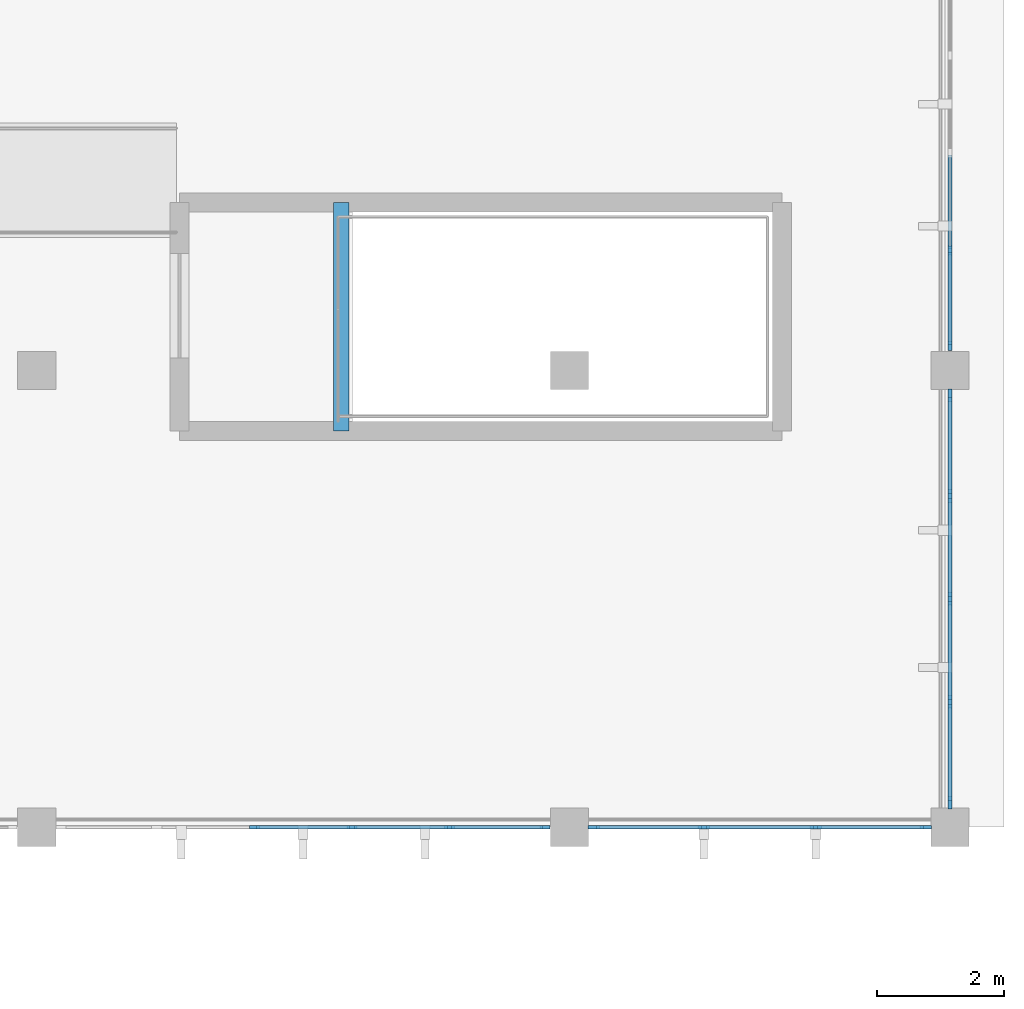
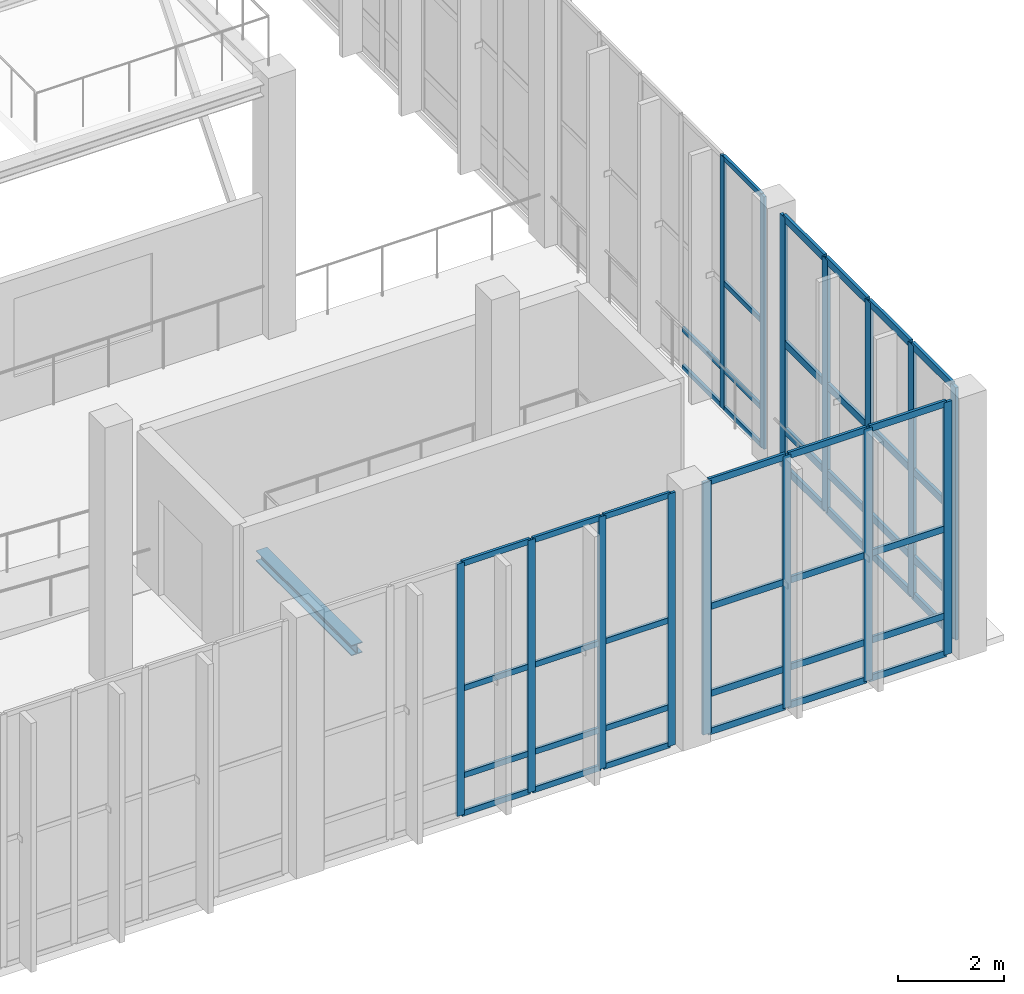
# One storey, part 49 of 105: 61 members, 1 beam, 4 elements without a shape of their own.
"""IFC4 building model written with IfcOpenShell, lengths in metres."""

from ifc_helpers import new_model, si_unit, direction, frame, origin, origin_2d, place, context, subcontext, project, spatial, rectangle, i_section, extrude, material, material_profile, profile_set, type_object, element, aggregate, save


model = new_model("IFC4")

# Units and contexts
model_context = context("Model", 3, precision=1e-05, world=origin(), true_north=direction((0.0, 1.0)))
body_context = subcontext(model_context, "Body", "Model", "MODEL_VIEW")
ifc_project = project(units=[si_unit("LENGTHUNIT", "METRE"), si_unit("AREAUNIT", "SQUARE_METRE"), si_unit("VOLUMEUNIT", "CUBIC_METRE"), si_unit("PLANEANGLEUNIT", "RADIAN"), si_unit("MASSUNIT", "GRAM", prefix="KILO")], contexts=[model_context])

# Site, building, storey
site_placement = place(None, origin())
site = spatial("IfcSite", under=ifc_project, at=site_placement, CompositionType="ELEMENT")
building_placement = place(site_placement, origin())
building = spatial("IfcBuilding", under=site, at=building_placement, Name="Tizgana Railside Sports Hall", CompositionType="ELEMENT")
storey_placement = place(building_placement, frame((0.0, 0.0, 6.0)))
storey = spatial("IfcBuildingStorey", under=building, at=storey_placement, Name="L01", CompositionType="ELEMENT", Elevation=6.0)

# Curtain wall, members
ifc_material_1 = material(Name="Anodised aluminium and glass", Category="aluminium")
curtain_wall_type_1 = type_object("IfcCurtainWallType", Name="Unitised Curtain Wall Clinic 1200", PredefinedType="NOTDEFINED", material=ifc_material_1)
curtain_wall_1_placement = place(storey_placement, origin())
curtain_wall_1 = element("IfcCurtainWall", 1, at=curtain_wall_1_placement, inside=storey, type_object=curtain_wall_type_1, Name="L01 Curtain Wall CW-0060", PredefinedType="NOTDEFINED")
ifc_material_2 = material(Name="Anodised aluminium", Category="aluminium")
ifc_material_profile_1 = material_profile(ifc_material_2, rectangle(XDim=0.06005859375, YDim=0.139892578125, at=origin_2d()), Name="Mullion 60x140")
ifc_profile_set_1 = profile_set([ifc_material_profile_1], Name="Anodised aluminium")
member_type_1 = type_object("IfcMemberType", Name="Mullion 60x140", PredefinedType="MULLION", material=ifc_profile_set_1)
member_1_placement = place(storey_placement, frame((172.199951171875, 80.784912109375, 0.0), z_axis=(0.0, 0.0, 1.0), x_axis=(-1.0, 0.0, 0.0)))
member_1 = element("IfcMember", 2, at=member_1_placement, type_object=member_type_1, Name="CW-05 mullion 1", PredefinedType="MULLION", context=body_context, shape_type="SweptSolid", body=[
    extrude(rectangle(XDim=0.06005859375, YDim=0.139892578125, at=origin_2d()), origin(), (0.0, 0.0, 1.0), 5.800048828125),
])
member_2_placement = place(storey_placement, frame((172.199951171875, 82.29296875, 0.0), z_axis=(0.0, 0.0, 1.0), x_axis=(-1.0, 0.0, 0.0)))
member_2 = element("IfcMember", 3, at=member_2_placement, type_object=member_type_1, Name="CW-05 mullion 2", PredefinedType="MULLION", context=body_context, shape_type="SweptSolid", body=[
    extrude(rectangle(XDim=0.06005859375, YDim=0.139892578125, at=origin_2d()), origin(), (0.0, 0.0, 1.0), 5.800048828125),
])

curtain_wall_type_2 = type_object("IfcCurtainWallType", Name="Unitised Curtain Wall Foyer 1300", PredefinedType="NOTDEFINED", material=ifc_material_1)
curtain_wall_2_placement = place(storey_placement, origin())
curtain_wall_2 = element("IfcCurtainWall", 4, at=curtain_wall_2_placement, inside=storey, type_object=curtain_wall_type_2, Name="L01 Curtain Wall CW-0073", PredefinedType="NOTDEFINED")
ifc_material_profile_2 = material_profile(ifc_material_2, rectangle(XDim=0.06005859375, YDim=0.159912109375, at=origin_2d()), Name="Mullion 60x160")
ifc_profile_set_2 = profile_set([ifc_material_profile_2], Name="Anodised aluminium")
member_type_2 = type_object("IfcMemberType", Name="Mullion 60x160", PredefinedType="MULLION", material=ifc_profile_set_2)
member_3_placement = place(storey_placement, frame((165.81494140625, 73.199951171875, 0.0), z_axis=(0.0, 0.0, 1.0), x_axis=(0.0, -1.0, 0.0)))
member_3 = element("IfcMember", 5, at=member_3_placement, type_object=member_type_2, Name="CW-02 mullion 1", PredefinedType="MULLION", context=body_context, shape_type="SweptSolid", body=[
    extrude(rectangle(XDim=0.06005859375, YDim=0.159912109375, at=origin_2d()), origin(), (0.0, 0.0, 1.0), 5.800048828125),
])
member_4_placement = place(storey_placement, frame((164.306884765625, 73.199951171875, 0.0), z_axis=(0.0, 0.0, 1.0), x_axis=(0.0, -1.0, 0.0)))
member_4 = element("IfcMember", 6, at=member_4_placement, type_object=member_type_2, Name="CW-02 mullion 2", PredefinedType="MULLION", context=body_context, shape_type="SweptSolid", body=[
    extrude(rectangle(XDim=0.06005859375, YDim=0.159912109375, at=origin_2d()), origin(), (0.0, 0.0, 1.0), 5.800048828125),
])
member_5_placement = place(storey_placement, frame((162.76904296875, 73.199951171875, 0.0), z_axis=(0.0, 0.0, 1.0), x_axis=(0.0, -1.0, 0.0)))
member_5 = element("IfcMember", 7, at=member_5_placement, type_object=member_type_2, Name="CW-02 mullion 3", PredefinedType="MULLION", context=body_context, shape_type="SweptSolid", body=[
    extrude(rectangle(XDim=0.06005859375, YDim=0.159912109375, at=origin_2d()), origin(), (0.0, 0.0, 1.0), 5.800048828125),
])
member_6_placement = place(storey_placement, frame((161.23095703125, 73.199951171875, 0.0), z_axis=(0.0, 0.0, 1.0), x_axis=(0.0, -1.0, 0.0)))
member_6 = element("IfcMember", 8, at=member_6_placement, type_object=member_type_2, Name="CW-02 mullion 4", PredefinedType="MULLION", context=body_context, shape_type="SweptSolid", body=[
    extrude(rectangle(XDim=0.06005859375, YDim=0.159912109375, at=origin_2d()), origin(), (0.0, 0.0, 1.0), 5.800048828125),
])

curtain_wall_type_3 = type_object("IfcCurtainWallType", Name="Unitised Curtain Wall Studio 1400", PredefinedType="NOTDEFINED", material=ifc_material_1)
curtain_wall_3_placement = place(storey_placement, origin())
curtain_wall_3 = element("IfcCurtainWall", 9, at=curtain_wall_3_placement, inside=storey, type_object=curtain_wall_type_3, Name="L01 Curtain Wall CW-0074", PredefinedType="NOTDEFINED")
ifc_material_profile_3 = material_profile(ifc_material_2, rectangle(XDim=0.06005859375, YDim=0.179931640625, at=origin_2d()), Name="Mullion 60x180")
ifc_profile_set_3 = profile_set([ifc_material_profile_3], Name="Anodised aluminium")
member_type_3 = type_object("IfcMemberType", Name="Mullion 60x180", PredefinedType="MULLION", material=ifc_profile_set_3)
member_7_placement = place(storey_placement, frame((171.81494140625, 73.199951171875, 0.0), z_axis=(0.0, 0.0, 1.0), x_axis=(0.0, -1.0, 0.0)))
member_7 = element("IfcMember", 10, at=member_7_placement, type_object=member_type_3, Name="CW-03 mullion 1", PredefinedType="MULLION", context=body_context, shape_type="SweptSolid", body=[
    extrude(rectangle(XDim=0.06005859375, YDim=0.179931640625, at=origin_2d()), origin(), (0.0, 0.0, 1.0), 5.800048828125),
])
member_8_placement = place(storey_placement, frame((170.081787109375, 73.199951171875, 0.0), z_axis=(0.0, 0.0, 1.0), x_axis=(0.0, -1.0, 0.0)))
member_8 = element("IfcMember", 11, at=member_8_placement, type_object=member_type_3, Name="CW-03 mullion 2", PredefinedType="MULLION", context=body_context, shape_type="SweptSolid", body=[
    extrude(rectangle(XDim=0.06005859375, YDim=0.179931640625, at=origin_2d()), origin(), (0.0, 0.0, 1.0), 5.800048828125),
])
member_9_placement = place(storey_placement, frame((168.318359375, 73.199951171875, 0.0), z_axis=(0.0, 0.0, 1.0), x_axis=(0.0, -1.0, 0.0)))
member_9 = element("IfcMember", 12, at=member_9_placement, type_object=member_type_3, Name="CW-03 mullion 3", PredefinedType="MULLION", context=body_context, shape_type="SweptSolid", body=[
    extrude(rectangle(XDim=0.06005859375, YDim=0.179931640625, at=origin_2d()), origin(), (0.0, 0.0, 1.0), 5.800048828125),
])
member_10_placement = place(storey_placement, frame((166.5849609375, 73.199951171875, 0.0), z_axis=(0.0, 0.0, 1.0), x_axis=(0.0, -1.0, 0.0)))
member_10 = element("IfcMember", 13, at=member_10_placement, type_object=member_type_3, Name="CW-03 mullion 4", PredefinedType="MULLION", context=body_context, shape_type="SweptSolid", body=[
    extrude(rectangle(XDim=0.06005859375, YDim=0.179931640625, at=origin_2d()), origin(), (0.0, 0.0, 1.0), 5.800048828125),
])

curtain_wall_4_placement = place(storey_placement, origin())
curtain_wall_4 = element("IfcCurtainWall", 14, at=curtain_wall_4_placement, inside=storey, type_object=curtain_wall_type_2, Name="L01 Curtain Wall CW-0057", PredefinedType="NOTDEFINED")
ifc_material_profile_4 = material_profile(ifc_material_2, rectangle(XDim=0.06494140625, YDim=0.199951171875, at=origin_2d()), Name="Mullion 65x200")
ifc_profile_set_4 = profile_set([ifc_material_profile_4], Name="Anodised aluminium")
member_type_4 = type_object("IfcMemberType", Name="Mullion 65x200", PredefinedType="MULLION", material=ifc_profile_set_4)
member_11_placement = place(storey_placement, frame((172.199951171875, 73.58740234375, 0.0), z_axis=(0.0, 0.0, 1.0), x_axis=(-1.0, 0.0, 0.0)))
member_11 = element("IfcMember", 15, at=member_11_placement, type_object=member_type_4, Name="CW-02 mullion 1", PredefinedType="MULLION", context=body_context, shape_type="SweptSolid", body=[
    extrude(rectangle(XDim=0.06494140625, YDim=0.199951171875, at=origin_2d()), origin(), (0.0, 0.0, 1.0), 5.800048828125),
])
member_12_placement = place(storey_placement, frame((172.199951171875, 75.177490234375, 0.0), z_axis=(0.0, 0.0, 1.0), x_axis=(-1.0, 0.0, 0.0)))
member_12 = element("IfcMember", 16, at=member_12_placement, type_object=member_type_4, Name="CW-02 mullion 2", PredefinedType="MULLION", context=body_context, shape_type="SweptSolid", body=[
    extrude(rectangle(XDim=0.06494140625, YDim=0.199951171875, at=origin_2d()), origin(), (0.0, 0.0, 1.0), 5.800048828125),
])
member_13_placement = place(storey_placement, frame((172.199951171875, 76.800048828125, 0.0), z_axis=(0.0, 0.0, 1.0), x_axis=(-1.0, 0.0, 0.0)))
member_13 = element("IfcMember", 17, at=member_13_placement, type_object=member_type_4, Name="CW-02 mullion 3", PredefinedType="MULLION", context=body_context, shape_type="SweptSolid", body=[
    extrude(rectangle(XDim=0.06494140625, YDim=0.199951171875, at=origin_2d()), origin(), (0.0, 0.0, 1.0), 5.800048828125),
])
member_14_placement = place(storey_placement, frame((172.199951171875, 78.422607421875, 0.0), z_axis=(0.0, 0.0, 1.0), x_axis=(-1.0, 0.0, 0.0)))
member_14 = element("IfcMember", 18, at=member_14_placement, type_object=member_type_4, Name="CW-02 mullion 4", PredefinedType="MULLION", context=body_context, shape_type="SweptSolid", body=[
    extrude(rectangle(XDim=0.06494140625, YDim=0.199951171875, at=origin_2d()), origin(), (0.0, 0.0, 1.0), 5.800048828125),
])
member_15_placement = place(storey_placement, frame((172.199951171875, 80.012451171875, 0.0), z_axis=(0.0, 0.0, 1.0), x_axis=(-1.0, 0.0, 0.0)))
member_15 = element("IfcMember", 19, at=member_15_placement, type_object=member_type_4, Name="CW-02 mullion 5", PredefinedType="MULLION", context=body_context, shape_type="SweptSolid", body=[
    extrude(rectangle(XDim=0.06494140625, YDim=0.199951171875, at=origin_2d()), origin(), (0.0, 0.0, 1.0), 5.800048828125),
])

# Beam
ifc_material_3 = material(Name="Steel S355J2", Category="steel")
ifc_material_profile_5 = material_profile(ifc_material_3, i_section(OverallWidth=0.239990234375, OverallDepth=0.239990234375, WebThickness=0.010009765625, FlangeThickness=0.01708984375, FilletRadius=0.02099609375, at=origin_2d()), Name="HEB 240")
ifc_profile_set_5 = profile_set([ifc_material_profile_5], Name="Steel S355J2")
beam_type = type_object("IfcBeamType", Name="Steel Beam HEB 240", PredefinedType="BEAM", material=ifc_profile_set_5)
beam_placement = place(storey_placement, frame((162.60009765625, 79.449951171875, -0.4619140625), z_axis=(0.0, 1.0, 0.0), x_axis=(-1.0, 0.0, 0.0)))
element("IfcBeam", 20, at=beam_placement, inside=storey, type_object=beam_type, Name="L01 C9 Landing Header", PredefinedType="BEAM", context=body_context, shape_type="SweptSolid", body=[
    extrude(i_section(OverallWidth=0.239990234375, OverallDepth=0.239990234375, WebThickness=0.010009765625, FlangeThickness=0.01708984375, FilletRadius=0.02099609375, at=origin_2d()), origin(), (0.0, 0.0, 1.0), 3.60009765625),
])

# Member
ifc_material_profile_6 = material_profile(ifc_material_2, rectangle(XDim=0.06005859375, YDim=0.110107421875, at=origin_2d()), Name="Transom 60x110")
ifc_profile_set_6 = profile_set([ifc_material_profile_6], Name="Anodised aluminium")
member_type_5 = type_object("IfcMemberType", Name="Transom 60x110", PredefinedType="USERDEFINED", material=ifc_profile_set_6)
member_16_placement = place(storey_placement, frame((172.199951171875, 80.81494140625, 0.030029296875), z_axis=(0.0, 1.0, 0.0), x_axis=(-1.0, 0.0, 0.0)))
member_16 = element("IfcMember", 21, at=member_16_placement, type_object=member_type_5, Name="CW-05 transom 1.1", ObjectType="TRANSOM", PredefinedType="USERDEFINED", context=body_context, shape_type="SweptSolid", body=[
    extrude(rectangle(XDim=0.06005859375, YDim=0.110107421875, at=origin_2d()), origin(), (0.0, 0.0, 1.0), 1.447998046875),
])

member_17_placement = place(storey_placement, frame((172.199951171875, 80.81494140625, 0.89990234375), z_axis=(0.0, 1.0, 0.0), x_axis=(-1.0, 0.0, 0.0)))
member_17 = element("IfcMember", 22, at=member_17_placement, type_object=member_type_5, Name="CW-05 transom 1.2", ObjectType="TRANSOM", PredefinedType="USERDEFINED", context=body_context, shape_type="SweptSolid", body=[
    extrude(rectangle(XDim=0.06005859375, YDim=0.110107421875, at=origin_2d()), origin(), (0.0, 0.0, 1.0), 1.447998046875),
])

member_18_placement = place(storey_placement, frame((172.199951171875, 80.81494140625, 2.89990234375), z_axis=(0.0, 1.0, 0.0), x_axis=(-1.0, 0.0, 0.0)))
member_18 = element("IfcMember", 23, at=member_18_placement, type_object=member_type_5, Name="CW-05 transom 1.3", ObjectType="TRANSOM", PredefinedType="USERDEFINED", context=body_context, shape_type="SweptSolid", body=[
    extrude(rectangle(XDim=0.06005859375, YDim=0.110107421875, at=origin_2d()), origin(), (0.0, 0.0, 1.0), 1.447998046875),
])

member_19_placement = place(storey_placement, frame((172.199951171875, 80.81494140625, 5.77001953125), z_axis=(0.0, 1.0, 0.0), x_axis=(-1.0, 0.0, 0.0)))
member_19 = element("IfcMember", 24, at=member_19_placement, type_object=member_type_5, Name="CW-05 transom 1.4", ObjectType="TRANSOM", PredefinedType="USERDEFINED", context=body_context, shape_type="SweptSolid", body=[
    extrude(rectangle(XDim=0.06005859375, YDim=0.110107421875, at=origin_2d()), origin(), (0.0, 0.0, 1.0), 1.447998046875),
])

member_20_placement = place(storey_placement, frame((172.199951171875, 82.322998046875, 0.030029296875), z_axis=(0.0, 1.0, 0.0), x_axis=(-1.0, 0.0, 0.0)))
member_20 = element("IfcMember", 25, at=member_20_placement, type_object=member_type_5, Name="CW-05 transom 2.1", ObjectType="TRANSOM", PredefinedType="USERDEFINED", context=body_context, shape_type="SweptSolid", body=[
    extrude(rectangle(XDim=0.06005859375, YDim=0.110107421875, at=origin_2d()), origin(), (0.0, 0.0, 1.0), 1.47802734375),
])

member_21_placement = place(storey_placement, frame((172.199951171875, 82.322998046875, 0.89990234375), z_axis=(0.0, 1.0, 0.0), x_axis=(-1.0, 0.0, 0.0)))
member_21 = element("IfcMember", 26, at=member_21_placement, type_object=member_type_5, Name="CW-05 transom 2.2", ObjectType="TRANSOM", PredefinedType="USERDEFINED", context=body_context, shape_type="SweptSolid", body=[
    extrude(rectangle(XDim=0.06005859375, YDim=0.110107421875, at=origin_2d()), origin(), (0.0, 0.0, 1.0), 1.47802734375),
])

aggregate(curtain_wall_1, [member_1, member_2, member_16, member_17, member_18, member_19, member_20, member_21])

ifc_material_profile_7 = material_profile(ifc_material_2, rectangle(XDim=0.06005859375, YDim=0.1298828125, at=origin_2d()), Name="Transom 60x130")
ifc_profile_set_7 = profile_set([ifc_material_profile_7], Name="Anodised aluminium")
member_type_6 = type_object("IfcMemberType", Name="Transom 60x130", PredefinedType="USERDEFINED", material=ifc_profile_set_7)
member_22_placement = place(storey_placement, frame((165.784912109375, 73.199951171875, 0.030029296875), z_axis=(-1.0, 0.0, 0.0), x_axis=(0.0, -1.0, 0.0)))
member_22 = element("IfcMember", 27, at=member_22_placement, type_object=member_type_6, Name="CW-02 transom 1.1", ObjectType="TRANSOM", PredefinedType="USERDEFINED", context=body_context, shape_type="SweptSolid", body=[
    extrude(rectangle(XDim=0.06005859375, YDim=0.1298828125, at=origin_2d()), origin(), (0.0, 0.0, 1.0), 1.447998046875),
])

member_23_placement = place(storey_placement, frame((165.784912109375, 73.199951171875, 0.89990234375), z_axis=(-1.0, 0.0, 0.0), x_axis=(0.0, -1.0, 0.0)))
member_23 = element("IfcMember", 28, at=member_23_placement, type_object=member_type_6, Name="CW-02 transom 1.2", ObjectType="TRANSOM", PredefinedType="USERDEFINED", context=body_context, shape_type="SweptSolid", body=[
    extrude(rectangle(XDim=0.06005859375, YDim=0.1298828125, at=origin_2d()), origin(), (0.0, 0.0, 1.0), 1.447998046875),
])

member_24_placement = place(storey_placement, frame((165.784912109375, 73.199951171875, 2.89990234375), z_axis=(-1.0, 0.0, 0.0), x_axis=(0.0, -1.0, 0.0)))
member_24 = element("IfcMember", 29, at=member_24_placement, type_object=member_type_6, Name="CW-02 transom 1.3", ObjectType="TRANSOM", PredefinedType="USERDEFINED", context=body_context, shape_type="SweptSolid", body=[
    extrude(rectangle(XDim=0.06005859375, YDim=0.1298828125, at=origin_2d()), origin(), (0.0, 0.0, 1.0), 1.447998046875),
])

member_25_placement = place(storey_placement, frame((165.784912109375, 73.199951171875, 5.77001953125), z_axis=(-1.0, 0.0, 0.0), x_axis=(0.0, -1.0, 0.0)))
member_25 = element("IfcMember", 30, at=member_25_placement, type_object=member_type_6, Name="CW-02 transom 1.4", ObjectType="TRANSOM", PredefinedType="USERDEFINED", context=body_context, shape_type="SweptSolid", body=[
    extrude(rectangle(XDim=0.06005859375, YDim=0.1298828125, at=origin_2d()), origin(), (0.0, 0.0, 1.0), 1.447998046875),
])

member_26_placement = place(storey_placement, frame((164.277099609375, 73.199951171875, 0.030029296875), z_axis=(-1.0, 0.0, 0.0), x_axis=(0.0, -1.0, 0.0)))
member_26 = element("IfcMember", 31, at=member_26_placement, type_object=member_type_6, Name="CW-02 transom 2.1", ObjectType="TRANSOM", PredefinedType="USERDEFINED", context=body_context, shape_type="SweptSolid", body=[
    extrude(rectangle(XDim=0.06005859375, YDim=0.1298828125, at=origin_2d()), origin(), (0.0, 0.0, 1.0), 1.47802734375),
])

member_27_placement = place(storey_placement, frame((164.277099609375, 73.199951171875, 0.89990234375), z_axis=(-1.0, 0.0, 0.0), x_axis=(0.0, -1.0, 0.0)))
member_27 = element("IfcMember", 32, at=member_27_placement, type_object=member_type_6, Name="CW-02 transom 2.2", ObjectType="TRANSOM", PredefinedType="USERDEFINED", context=body_context, shape_type="SweptSolid", body=[
    extrude(rectangle(XDim=0.06005859375, YDim=0.1298828125, at=origin_2d()), origin(), (0.0, 0.0, 1.0), 1.47802734375),
])

member_28_placement = place(storey_placement, frame((164.277099609375, 73.199951171875, 2.89990234375), z_axis=(-1.0, 0.0, 0.0), x_axis=(0.0, -1.0, 0.0)))
member_28 = element("IfcMember", 33, at=member_28_placement, type_object=member_type_6, Name="CW-02 transom 2.3", ObjectType="TRANSOM", PredefinedType="USERDEFINED", context=body_context, shape_type="SweptSolid", body=[
    extrude(rectangle(XDim=0.06005859375, YDim=0.1298828125, at=origin_2d()), origin(), (0.0, 0.0, 1.0), 1.47802734375),
])

member_29_placement = place(storey_placement, frame((164.277099609375, 73.199951171875, 5.77001953125), z_axis=(-1.0, 0.0, 0.0), x_axis=(0.0, -1.0, 0.0)))
member_29 = element("IfcMember", 34, at=member_29_placement, type_object=member_type_6, Name="CW-02 transom 2.4", ObjectType="TRANSOM", PredefinedType="USERDEFINED", context=body_context, shape_type="SweptSolid", body=[
    extrude(rectangle(XDim=0.06005859375, YDim=0.1298828125, at=origin_2d()), origin(), (0.0, 0.0, 1.0), 1.47802734375),
])

member_30_placement = place(storey_placement, frame((162.739013671875, 73.199951171875, 0.030029296875), z_axis=(-1.0, 0.0, 0.0), x_axis=(0.0, -1.0, 0.0)))
member_30 = element("IfcMember", 35, at=member_30_placement, type_object=member_type_6, Name="CW-02 transom 3.1", ObjectType="TRANSOM", PredefinedType="USERDEFINED", context=body_context, shape_type="SweptSolid", body=[
    extrude(rectangle(XDim=0.06005859375, YDim=0.1298828125, at=origin_2d()), origin(), (0.0, 0.0, 1.0), 1.47802734375),
])

member_31_placement = place(storey_placement, frame((162.739013671875, 73.199951171875, 0.89990234375), z_axis=(-1.0, 0.0, 0.0), x_axis=(0.0, -1.0, 0.0)))
member_31 = element("IfcMember", 36, at=member_31_placement, type_object=member_type_6, Name="CW-02 transom 3.2", ObjectType="TRANSOM", PredefinedType="USERDEFINED", context=body_context, shape_type="SweptSolid", body=[
    extrude(rectangle(XDim=0.06005859375, YDim=0.1298828125, at=origin_2d()), origin(), (0.0, 0.0, 1.0), 1.47802734375),
])

member_32_placement = place(storey_placement, frame((162.739013671875, 73.199951171875, 2.89990234375), z_axis=(-1.0, 0.0, 0.0), x_axis=(0.0, -1.0, 0.0)))
member_32 = element("IfcMember", 37, at=member_32_placement, type_object=member_type_6, Name="CW-02 transom 3.3", ObjectType="TRANSOM", PredefinedType="USERDEFINED", context=body_context, shape_type="SweptSolid", body=[
    extrude(rectangle(XDim=0.06005859375, YDim=0.1298828125, at=origin_2d()), origin(), (0.0, 0.0, 1.0), 1.47802734375),
])

member_33_placement = place(storey_placement, frame((162.739013671875, 73.199951171875, 5.77001953125), z_axis=(-1.0, 0.0, 0.0), x_axis=(0.0, -1.0, 0.0)))
member_33 = element("IfcMember", 38, at=member_33_placement, type_object=member_type_6, Name="CW-02 transom 3.4", ObjectType="TRANSOM", PredefinedType="USERDEFINED", context=body_context, shape_type="SweptSolid", body=[
    extrude(rectangle(XDim=0.06005859375, YDim=0.1298828125, at=origin_2d()), origin(), (0.0, 0.0, 1.0), 1.47802734375),
])

aggregate(curtain_wall_2, [member_3, member_4, member_5, member_6, member_22, member_23, member_24, member_25, member_26, member_27, member_28, member_29, member_30, member_31, member_32, member_33])

ifc_material_profile_8 = material_profile(ifc_material_2, rectangle(XDim=0.06005859375, YDim=0.14990234375, at=origin_2d()), Name="Transom 60x150")
ifc_profile_set_8 = profile_set([ifc_material_profile_8], Name="Anodised aluminium")
member_type_7 = type_object("IfcMemberType", Name="Transom 60x150", PredefinedType="USERDEFINED", material=ifc_profile_set_8)
member_34_placement = place(storey_placement, frame((171.784912109375, 73.199951171875, 0.030029296875), z_axis=(-1.0, 0.0, 0.0), x_axis=(0.0, -1.0, 0.0)))
member_34 = element("IfcMember", 39, at=member_34_placement, type_object=member_type_7, Name="CW-03 transom 1.1", ObjectType="TRANSOM", PredefinedType="USERDEFINED", context=body_context, shape_type="SweptSolid", body=[
    extrude(rectangle(XDim=0.06005859375, YDim=0.14990234375, at=origin_2d()), origin(), (0.0, 0.0, 1.0), 1.67333984375),
])

member_35_placement = place(storey_placement, frame((171.784912109375, 73.199951171875, 0.89990234375), z_axis=(-1.0, 0.0, 0.0), x_axis=(0.0, -1.0, 0.0)))
member_35 = element("IfcMember", 40, at=member_35_placement, type_object=member_type_7, Name="CW-03 transom 1.2", ObjectType="TRANSOM", PredefinedType="USERDEFINED", context=body_context, shape_type="SweptSolid", body=[
    extrude(rectangle(XDim=0.06005859375, YDim=0.14990234375, at=origin_2d()), origin(), (0.0, 0.0, 1.0), 1.67333984375),
])

member_36_placement = place(storey_placement, frame((171.784912109375, 73.199951171875, 2.89990234375), z_axis=(-1.0, 0.0, 0.0), x_axis=(0.0, -1.0, 0.0)))
member_36 = element("IfcMember", 41, at=member_36_placement, type_object=member_type_7, Name="CW-03 transom 1.3", ObjectType="TRANSOM", PredefinedType="USERDEFINED", context=body_context, shape_type="SweptSolid", body=[
    extrude(rectangle(XDim=0.06005859375, YDim=0.14990234375, at=origin_2d()), origin(), (0.0, 0.0, 1.0), 1.67333984375),
])

member_37_placement = place(storey_placement, frame((171.784912109375, 73.199951171875, 5.77001953125), z_axis=(-1.0, 0.0, 0.0), x_axis=(0.0, -1.0, 0.0)))
member_37 = element("IfcMember", 42, at=member_37_placement, type_object=member_type_7, Name="CW-03 transom 1.4", ObjectType="TRANSOM", PredefinedType="USERDEFINED", context=body_context, shape_type="SweptSolid", body=[
    extrude(rectangle(XDim=0.06005859375, YDim=0.14990234375, at=origin_2d()), origin(), (0.0, 0.0, 1.0), 1.67333984375),
])

member_38_placement = place(storey_placement, frame((170.0517578125, 73.199951171875, 0.030029296875), z_axis=(-1.0, 0.0, 0.0), x_axis=(0.0, -1.0, 0.0)))
member_38 = element("IfcMember", 43, at=member_38_placement, type_object=member_type_7, Name="CW-03 transom 2.1", ObjectType="TRANSOM", PredefinedType="USERDEFINED", context=body_context, shape_type="SweptSolid", body=[
    extrude(rectangle(XDim=0.06005859375, YDim=0.14990234375, at=origin_2d()), origin(), (0.0, 0.0, 1.0), 1.703369140625),
])

member_39_placement = place(storey_placement, frame((170.0517578125, 73.199951171875, 0.89990234375), z_axis=(-1.0, 0.0, 0.0), x_axis=(0.0, -1.0, 0.0)))
member_39 = element("IfcMember", 44, at=member_39_placement, type_object=member_type_7, Name="CW-03 transom 2.2", ObjectType="TRANSOM", PredefinedType="USERDEFINED", context=body_context, shape_type="SweptSolid", body=[
    extrude(rectangle(XDim=0.06005859375, YDim=0.14990234375, at=origin_2d()), origin(), (0.0, 0.0, 1.0), 1.703369140625),
])

member_40_placement = place(storey_placement, frame((170.0517578125, 73.199951171875, 2.89990234375), z_axis=(-1.0, 0.0, 0.0), x_axis=(0.0, -1.0, 0.0)))
member_40 = element("IfcMember", 45, at=member_40_placement, type_object=member_type_7, Name="CW-03 transom 2.3", ObjectType="TRANSOM", PredefinedType="USERDEFINED", context=body_context, shape_type="SweptSolid", body=[
    extrude(rectangle(XDim=0.06005859375, YDim=0.14990234375, at=origin_2d()), origin(), (0.0, 0.0, 1.0), 1.703369140625),
])

member_41_placement = place(storey_placement, frame((170.0517578125, 73.199951171875, 5.77001953125), z_axis=(-1.0, 0.0, 0.0), x_axis=(0.0, -1.0, 0.0)))
member_41 = element("IfcMember", 46, at=member_41_placement, type_object=member_type_7, Name="CW-03 transom 2.4", ObjectType="TRANSOM", PredefinedType="USERDEFINED", context=body_context, shape_type="SweptSolid", body=[
    extrude(rectangle(XDim=0.06005859375, YDim=0.14990234375, at=origin_2d()), origin(), (0.0, 0.0, 1.0), 1.703369140625),
])

member_42_placement = place(storey_placement, frame((168.288330078125, 73.199951171875, 0.030029296875), z_axis=(-1.0, 0.0, 0.0), x_axis=(0.0, -1.0, 0.0)))
member_42 = element("IfcMember", 47, at=member_42_placement, type_object=member_type_7, Name="CW-03 transom 3.1", ObjectType="TRANSOM", PredefinedType="USERDEFINED", context=body_context, shape_type="SweptSolid", body=[
    extrude(rectangle(XDim=0.06005859375, YDim=0.14990234375, at=origin_2d()), origin(), (0.0, 0.0, 1.0), 1.67333984375),
])

member_43_placement = place(storey_placement, frame((168.288330078125, 73.199951171875, 0.89990234375), z_axis=(-1.0, 0.0, 0.0), x_axis=(0.0, -1.0, 0.0)))
member_43 = element("IfcMember", 48, at=member_43_placement, type_object=member_type_7, Name="CW-03 transom 3.2", ObjectType="TRANSOM", PredefinedType="USERDEFINED", context=body_context, shape_type="SweptSolid", body=[
    extrude(rectangle(XDim=0.06005859375, YDim=0.14990234375, at=origin_2d()), origin(), (0.0, 0.0, 1.0), 1.67333984375),
])

member_44_placement = place(storey_placement, frame((168.288330078125, 73.199951171875, 2.89990234375), z_axis=(-1.0, 0.0, 0.0), x_axis=(0.0, -1.0, 0.0)))
member_44 = element("IfcMember", 49, at=member_44_placement, type_object=member_type_7, Name="CW-03 transom 3.3", ObjectType="TRANSOM", PredefinedType="USERDEFINED", context=body_context, shape_type="SweptSolid", body=[
    extrude(rectangle(XDim=0.06005859375, YDim=0.14990234375, at=origin_2d()), origin(), (0.0, 0.0, 1.0), 1.67333984375),
])

member_45_placement = place(storey_placement, frame((168.288330078125, 73.199951171875, 5.77001953125), z_axis=(-1.0, 0.0, 0.0), x_axis=(0.0, -1.0, 0.0)))
member_45 = element("IfcMember", 50, at=member_45_placement, type_object=member_type_7, Name="CW-03 transom 3.4", ObjectType="TRANSOM", PredefinedType="USERDEFINED", context=body_context, shape_type="SweptSolid", body=[
    extrude(rectangle(XDim=0.06005859375, YDim=0.14990234375, at=origin_2d()), origin(), (0.0, 0.0, 1.0), 1.67333984375),
])

aggregate(curtain_wall_3, [member_7, member_8, member_9, member_10, member_34, member_35, member_36, member_37, member_38, member_39, member_40, member_41, member_42, member_43, member_44, member_45])

ifc_material_profile_9 = material_profile(ifc_material_2, rectangle(XDim=0.06494140625, YDim=0.169921875, at=origin_2d()), Name="Transom 65x170")
ifc_profile_set_9 = profile_set([ifc_material_profile_9], Name="Anodised aluminium")
member_type_8 = type_object("IfcMemberType", Name="Transom 65x170", PredefinedType="USERDEFINED", material=ifc_profile_set_9)
member_46_placement = place(storey_placement, frame((172.199951171875, 73.6201171875, 0.032470703125), z_axis=(0.0, 1.0, 0.0), x_axis=(-1.0, 0.0, 0.0)))
member_46 = element("IfcMember", 51, at=member_46_placement, type_object=member_type_8, Name="CW-02 transom 1.1", ObjectType="TRANSOM", PredefinedType="USERDEFINED", context=body_context, shape_type="SweptSolid", body=[
    extrude(rectangle(XDim=0.06494140625, YDim=0.169921875, at=origin_2d()), origin(), (0.0, 0.0, 1.0), 1.52490234375),
])

member_47_placement = place(storey_placement, frame((172.199951171875, 73.6201171875, 0.89990234375), z_axis=(0.0, 1.0, 0.0), x_axis=(-1.0, 0.0, 0.0)))
member_47 = element("IfcMember", 52, at=member_47_placement, type_object=member_type_8, Name="CW-02 transom 1.2", ObjectType="TRANSOM", PredefinedType="USERDEFINED", context=body_context, shape_type="SweptSolid", body=[
    extrude(rectangle(XDim=0.06494140625, YDim=0.169921875, at=origin_2d()), origin(), (0.0, 0.0, 1.0), 1.52490234375),
])

member_48_placement = place(storey_placement, frame((172.199951171875, 73.6201171875, 2.89990234375), z_axis=(0.0, 1.0, 0.0), x_axis=(-1.0, 0.0, 0.0)))
member_48 = element("IfcMember", 53, at=member_48_placement, type_object=member_type_8, Name="CW-02 transom 1.3", ObjectType="TRANSOM", PredefinedType="USERDEFINED", context=body_context, shape_type="SweptSolid", body=[
    extrude(rectangle(XDim=0.06494140625, YDim=0.169921875, at=origin_2d()), origin(), (0.0, 0.0, 1.0), 1.52490234375),
])

member_49_placement = place(storey_placement, frame((172.199951171875, 73.6201171875, 5.767578125), z_axis=(0.0, 1.0, 0.0), x_axis=(-1.0, 0.0, 0.0)))
member_49 = element("IfcMember", 54, at=member_49_placement, type_object=member_type_8, Name="CW-02 transom 1.4", ObjectType="TRANSOM", PredefinedType="USERDEFINED", context=body_context, shape_type="SweptSolid", body=[
    extrude(rectangle(XDim=0.06494140625, YDim=0.169921875, at=origin_2d()), origin(), (0.0, 0.0, 1.0), 1.52490234375),
])

member_50_placement = place(storey_placement, frame((172.199951171875, 75.2099609375, 0.032470703125), z_axis=(0.0, 1.0, 0.0), x_axis=(-1.0, 0.0, 0.0)))
member_50 = element("IfcMember", 55, at=member_50_placement, type_object=member_type_8, Name="CW-02 transom 2.1", ObjectType="TRANSOM", PredefinedType="USERDEFINED", context=body_context, shape_type="SweptSolid", body=[
    extrude(rectangle(XDim=0.06494140625, YDim=0.169921875, at=origin_2d()), origin(), (0.0, 0.0, 1.0), 1.5576171875),
])

member_51_placement = place(storey_placement, frame((172.199951171875, 75.2099609375, 0.89990234375), z_axis=(0.0, 1.0, 0.0), x_axis=(-1.0, 0.0, 0.0)))
member_51 = element("IfcMember", 56, at=member_51_placement, type_object=member_type_8, Name="CW-02 transom 2.2", ObjectType="TRANSOM", PredefinedType="USERDEFINED", context=body_context, shape_type="SweptSolid", body=[
    extrude(rectangle(XDim=0.06494140625, YDim=0.169921875, at=origin_2d()), origin(), (0.0, 0.0, 1.0), 1.5576171875),
])

member_52_placement = place(storey_placement, frame((172.199951171875, 75.2099609375, 2.89990234375), z_axis=(0.0, 1.0, 0.0), x_axis=(-1.0, 0.0, 0.0)))
member_52 = element("IfcMember", 57, at=member_52_placement, type_object=member_type_8, Name="CW-02 transom 2.3", ObjectType="TRANSOM", PredefinedType="USERDEFINED", context=body_context, shape_type="SweptSolid", body=[
    extrude(rectangle(XDim=0.06494140625, YDim=0.169921875, at=origin_2d()), origin(), (0.0, 0.0, 1.0), 1.5576171875),
])

member_53_placement = place(storey_placement, frame((172.199951171875, 75.2099609375, 5.767578125), z_axis=(0.0, 1.0, 0.0), x_axis=(-1.0, 0.0, 0.0)))
member_53 = element("IfcMember", 58, at=member_53_placement, type_object=member_type_8, Name="CW-02 transom 2.4", ObjectType="TRANSOM", PredefinedType="USERDEFINED", context=body_context, shape_type="SweptSolid", body=[
    extrude(rectangle(XDim=0.06494140625, YDim=0.169921875, at=origin_2d()), origin(), (0.0, 0.0, 1.0), 1.5576171875),
])

member_54_placement = place(storey_placement, frame((172.199951171875, 76.83251953125, 0.032470703125), z_axis=(0.0, 1.0, 0.0), x_axis=(-1.0, 0.0, 0.0)))
member_54 = element("IfcMember", 59, at=member_54_placement, type_object=member_type_8, Name="CW-02 transom 3.1", ObjectType="TRANSOM", PredefinedType="USERDEFINED", context=body_context, shape_type="SweptSolid", body=[
    extrude(rectangle(XDim=0.06494140625, YDim=0.169921875, at=origin_2d()), origin(), (0.0, 0.0, 1.0), 1.557373046875),
])

member_55_placement = place(storey_placement, frame((172.199951171875, 76.83251953125, 0.89990234375), z_axis=(0.0, 1.0, 0.0), x_axis=(-1.0, 0.0, 0.0)))
member_55 = element("IfcMember", 60, at=member_55_placement, type_object=member_type_8, Name="CW-02 transom 3.2", ObjectType="TRANSOM", PredefinedType="USERDEFINED", context=body_context, shape_type="SweptSolid", body=[
    extrude(rectangle(XDim=0.06494140625, YDim=0.169921875, at=origin_2d()), origin(), (0.0, 0.0, 1.0), 1.557373046875),
])

member_56_placement = place(storey_placement, frame((172.199951171875, 76.83251953125, 2.89990234375), z_axis=(0.0, 1.0, 0.0), x_axis=(-1.0, 0.0, 0.0)))
member_56 = element("IfcMember", 61, at=member_56_placement, type_object=member_type_8, Name="CW-02 transom 3.3", ObjectType="TRANSOM", PredefinedType="USERDEFINED", context=body_context, shape_type="SweptSolid", body=[
    extrude(rectangle(XDim=0.06494140625, YDim=0.169921875, at=origin_2d()), origin(), (0.0, 0.0, 1.0), 1.557373046875),
])

member_57_placement = place(storey_placement, frame((172.199951171875, 76.83251953125, 5.767578125), z_axis=(0.0, 1.0, 0.0), x_axis=(-1.0, 0.0, 0.0)))
member_57 = element("IfcMember", 62, at=member_57_placement, type_object=member_type_8, Name="CW-02 transom 3.4", ObjectType="TRANSOM", PredefinedType="USERDEFINED", context=body_context, shape_type="SweptSolid", body=[
    extrude(rectangle(XDim=0.06494140625, YDim=0.169921875, at=origin_2d()), origin(), (0.0, 0.0, 1.0), 1.557373046875),
])

member_58_placement = place(storey_placement, frame((172.199951171875, 78.455078125, 0.032470703125), z_axis=(0.0, 1.0, 0.0), x_axis=(-1.0, 0.0, 0.0)))
member_58 = element("IfcMember", 63, at=member_58_placement, type_object=member_type_8, Name="CW-02 transom 4.1", ObjectType="TRANSOM", PredefinedType="USERDEFINED", context=body_context, shape_type="SweptSolid", body=[
    extrude(rectangle(XDim=0.06494140625, YDim=0.169921875, at=origin_2d()), origin(), (0.0, 0.0, 1.0), 1.52490234375),
])

member_59_placement = place(storey_placement, frame((172.199951171875, 78.455078125, 0.89990234375), z_axis=(0.0, 1.0, 0.0), x_axis=(-1.0, 0.0, 0.0)))
member_59 = element("IfcMember", 64, at=member_59_placement, type_object=member_type_8, Name="CW-02 transom 4.2", ObjectType="TRANSOM", PredefinedType="USERDEFINED", context=body_context, shape_type="SweptSolid", body=[
    extrude(rectangle(XDim=0.06494140625, YDim=0.169921875, at=origin_2d()), origin(), (0.0, 0.0, 1.0), 1.52490234375),
])

member_60_placement = place(storey_placement, frame((172.199951171875, 78.455078125, 2.89990234375), z_axis=(0.0, 1.0, 0.0), x_axis=(-1.0, 0.0, 0.0)))
member_60 = element("IfcMember", 65, at=member_60_placement, type_object=member_type_8, Name="CW-02 transom 4.3", ObjectType="TRANSOM", PredefinedType="USERDEFINED", context=body_context, shape_type="SweptSolid", body=[
    extrude(rectangle(XDim=0.06494140625, YDim=0.169921875, at=origin_2d()), origin(), (0.0, 0.0, 1.0), 1.52490234375),
])

member_61_placement = place(storey_placement, frame((172.199951171875, 78.455078125, 5.767578125), z_axis=(0.0, 1.0, 0.0), x_axis=(-1.0, 0.0, 0.0)))
member_61 = element("IfcMember", 66, at=member_61_placement, type_object=member_type_8, Name="CW-02 transom 4.4", ObjectType="TRANSOM", PredefinedType="USERDEFINED", context=body_context, shape_type="SweptSolid", body=[
    extrude(rectangle(XDim=0.06494140625, YDim=0.169921875, at=origin_2d()), origin(), (0.0, 0.0, 1.0), 1.52490234375),
])

aggregate(curtain_wall_4, [member_11, member_12, member_13, member_14, member_15, member_46, member_47, member_48, member_49, member_50, member_51, member_52, member_53, member_54, member_55, member_56, member_57, member_58, member_59, member_60, member_61])

save(model, "model.ifc")
